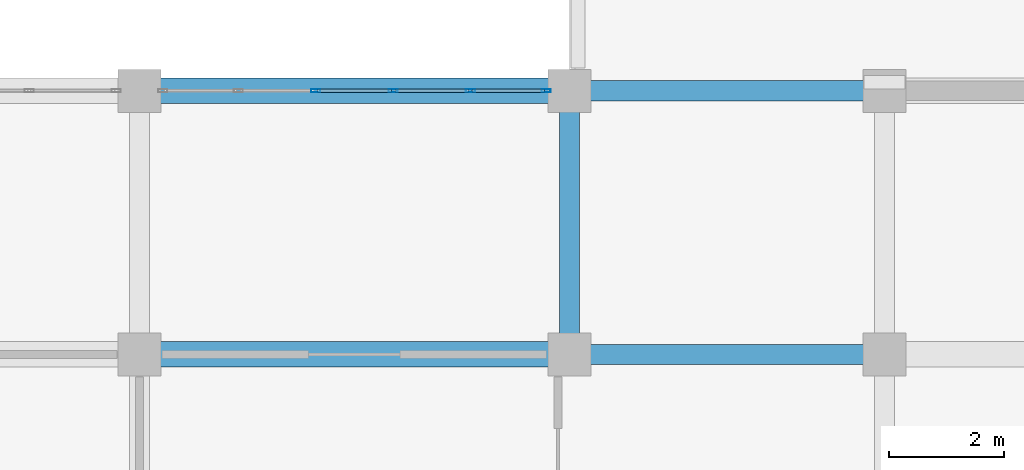
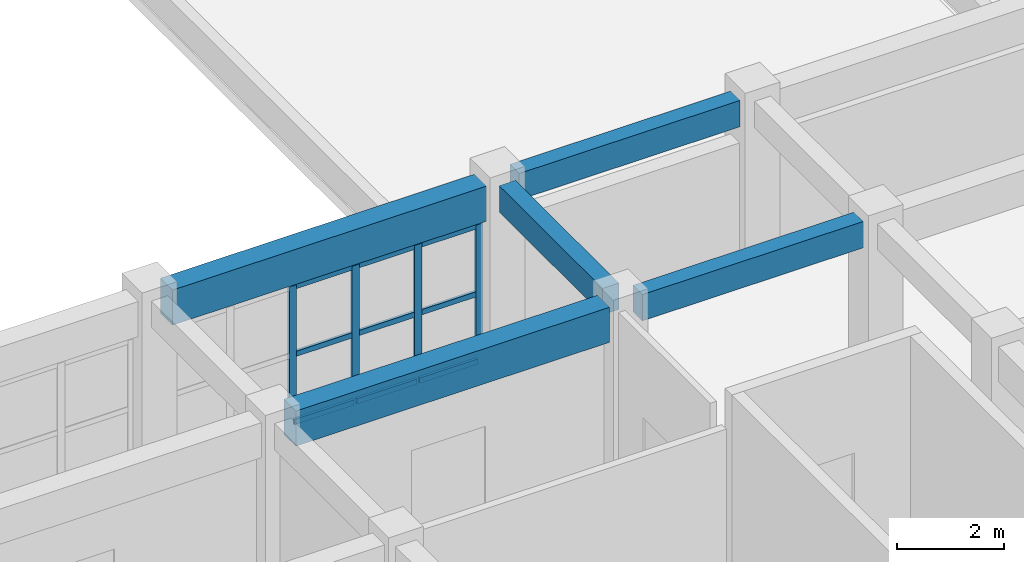
# One storey, part 38 of 90: 13 members, 5 beams, 1 element without a shape of its own.
"""IFC4 building model written with IfcOpenShell, lengths in metres."""

from ifc_helpers import new_model, si_unit, direction, frame, origin, origin_2d, place, context, subcontext, project, spatial, rectangle, hollow_rectangle, extrude, material, layer, layer_set, material_profile, profile_set, type_object, element, aggregate, save


model = new_model("IFC4")

# Units and contexts
model_context = context("Model", 3, precision=1e-05, world=origin(), true_north=direction((0.0, 1.0)))
body_context = subcontext(model_context, "Body", "Model", "MODEL_VIEW")
ifc_project = project(units=[si_unit("LENGTHUNIT", "METRE"), si_unit("AREAUNIT", "SQUARE_METRE"), si_unit("VOLUMEUNIT", "CUBIC_METRE"), si_unit("PLANEANGLEUNIT", "RADIAN"), si_unit("MASSUNIT", "GRAM", prefix="KILO")], contexts=[model_context])

# Site, building, storey
site_placement = place(None, origin())
site = spatial("IfcSite", under=ifc_project, at=site_placement, CompositionType="ELEMENT")
building_placement = place(site_placement, origin())
building = spatial("IfcBuilding", under=site, at=building_placement, Name="Muzn Square Opera House", CompositionType="ELEMENT")
storey_placement = place(building_placement, frame((0.0, 0.0, 9.800048828125)))
storey = spatial("IfcBuildingStorey", under=building, at=storey_placement, Name="L02", CompositionType="ELEMENT", Elevation=9.800048828125)

# Curtain wall, members
ifc_material_1 = material(Name="Low-E laminated acoustic double glazing", Category="glass")
ifc_layer = layer(ifc_material_1, 0.159912109375, Name="Low-E laminated acoustic double glazing", Category="glass")
ifc_layer_set = layer_set([ifc_layer], Name="Low-E laminated acoustic double glazing")
curtain_wall_type = type_object("IfcCurtainWallType", Name="Glazed Curtain Wall EastCloisterS 6750x3150", PredefinedType="USERDEFINED", material=ifc_layer_set)
curtain_wall_placement = place(storey_placement, origin())
curtain_wall = element("IfcCurtainWall", 1, at=curtain_wall_placement, inside=storey, type_object=curtain_wall_type, Name="Glazed Curtain Wall CW-L02-103", ObjectType="GLAZED CURTAIN WALL", PredefinedType="USERDEFINED")
ifc_material_2 = material(Name="Anodised bronze aluminium 6063-T6", Category="metal")
ifc_material_profile_1 = material_profile(ifc_material_2, hollow_rectangle(XDim=0.06005859375, YDim=0.159912109375, WallThickness=0.00390625, at=origin_2d()), Name="ALU 160x60x4", Category="metal")
ifc_profile_set_1 = profile_set([ifc_material_profile_1], Name="Anodised bronze aluminium 6063-T6")
member_type_1 = type_object("IfcMemberType", Name="Curtain Wall Mullion 160x60", PredefinedType="MULLION", material=ifc_profile_set_1)
member_1_placement = place(storey_placement, frame((152.574951171875, 31.199951171875, 0.0), z_axis=(0.0, 0.0, 1.0), x_axis=(0.0, 1.0, 0.0)))
member_1 = element("IfcMember", 2, at=member_1_placement, type_object=member_type_1, Name="CW-ECS-67x31 mullion 3", PredefinedType="MULLION", context=body_context, shape_type="SweptSolid", body=[
    extrude(hollow_rectangle(XDim=0.06005859375, YDim=0.159912109375, WallThickness=0.00390625, at=origin_2d()), origin(), (0.0, 0.0, 1.0), 3.14990234375),
])
member_2_placement = place(storey_placement, frame((153.925048828125, 31.199951171875, 0.0), z_axis=(0.0, 0.0, 1.0), x_axis=(0.0, 1.0, 0.0)))
member_2 = element("IfcMember", 3, at=member_2_placement, type_object=member_type_1, Name="CW-ECS-67x31 mullion 4", PredefinedType="MULLION", context=body_context, shape_type="SweptSolid", body=[
    extrude(hollow_rectangle(XDim=0.06005859375, YDim=0.159912109375, WallThickness=0.00390625, at=origin_2d()), origin(), (0.0, 0.0, 1.0), 3.14990234375),
])
member_3_placement = place(storey_placement, frame((155.27490234375, 31.199951171875, 0.0), z_axis=(0.0, 0.0, 1.0), x_axis=(0.0, 1.0, 0.0)))
member_3 = element("IfcMember", 4, at=member_3_placement, type_object=member_type_1, Name="CW-ECS-67x31 mullion 5", PredefinedType="MULLION", context=body_context, shape_type="SweptSolid", body=[
    extrude(hollow_rectangle(XDim=0.06005859375, YDim=0.159912109375, WallThickness=0.00390625, at=origin_2d()), origin(), (0.0, 0.0, 1.0), 3.14990234375),
])
member_4_placement = place(storey_placement, frame((156.594970703125, 31.199951171875, 0.0), z_axis=(0.0, 0.0, 1.0), x_axis=(0.0, 1.0, 0.0)))
member_4 = element("IfcMember", 5, at=member_4_placement, type_object=member_type_1, Name="CW-ECS-67x31 mullion 6", PredefinedType="MULLION", context=body_context, shape_type="SweptSolid", body=[
    extrude(hollow_rectangle(XDim=0.06005859375, YDim=0.159912109375, WallThickness=0.00390625, at=origin_2d()), origin(), (0.0, 0.0, 1.0), 3.14990234375),
])
ifc_material_profile_2 = material_profile(ifc_material_2, hollow_rectangle(XDim=0.06005859375, YDim=0.1201171875, WallThickness=0.00390625, at=origin_2d()), Name="ALU 120x60x4", Category="metal")
ifc_profile_set_2 = profile_set([ifc_material_profile_2], Name="Anodised bronze aluminium 6063-T6")
member_type_2 = type_object("IfcMemberType", Name="Curtain Wall Transom 120x60", PredefinedType="USERDEFINED", material=ifc_profile_set_2)
member_5_placement = place(storey_placement, frame((152.60498046875, 31.199951171875, 0.030029296875), z_axis=(1.0, 0.0, 0.0), x_axis=(0.0, 1.0, 0.0)))
member_5 = element("IfcMember", 6, at=member_5_placement, type_object=member_type_2, Name="CW-ECS-67x31 transom 3.1", ObjectType="TRANSOM", PredefinedType="USERDEFINED", context=body_context, shape_type="SweptSolid", body=[
    extrude(hollow_rectangle(XDim=0.06005859375, YDim=0.1201171875, WallThickness=0.00390625, at=origin_2d()), origin(), (0.0, 0.0, 1.0), 1.2900390625),
])
member_6_placement = place(storey_placement, frame((152.60498046875, 31.199951171875, 1.574951171875), z_axis=(1.0, 0.0, 0.0), x_axis=(0.0, 1.0, 0.0)))
member_6 = element("IfcMember", 7, at=member_6_placement, type_object=member_type_2, Name="CW-ECS-67x31 transom 3.2", ObjectType="TRANSOM", PredefinedType="USERDEFINED", context=body_context, shape_type="SweptSolid", body=[
    extrude(hollow_rectangle(XDim=0.06005859375, YDim=0.1201171875, WallThickness=0.00390625, at=origin_2d()), origin(), (0.0, 0.0, 1.0), 1.2900390625),
])
member_7_placement = place(storey_placement, frame((152.60498046875, 31.199951171875, 3.119873046875), z_axis=(1.0, 0.0, 0.0), x_axis=(0.0, 1.0, 0.0)))
member_7 = element("IfcMember", 8, at=member_7_placement, type_object=member_type_2, Name="CW-ECS-67x31 transom 3.3", ObjectType="TRANSOM", PredefinedType="USERDEFINED", context=body_context, shape_type="SweptSolid", body=[
    extrude(hollow_rectangle(XDim=0.06005859375, YDim=0.1201171875, WallThickness=0.00390625, at=origin_2d()), origin(), (0.0, 0.0, 1.0), 1.2900390625),
])
member_8_placement = place(storey_placement, frame((153.955078125, 31.199951171875, 0.030029296875), z_axis=(1.0, 0.0, 0.0), x_axis=(0.0, 1.0, 0.0)))
member_8 = element("IfcMember", 9, at=member_8_placement, type_object=member_type_2, Name="CW-ECS-67x31 transom 4.1", ObjectType="TRANSOM", PredefinedType="USERDEFINED", context=body_context, shape_type="SweptSolid", body=[
    extrude(hollow_rectangle(XDim=0.06005859375, YDim=0.1201171875, WallThickness=0.00390625, at=origin_2d()), origin(), (0.0, 0.0, 1.0), 1.2900390625),
])
member_9_placement = place(storey_placement, frame((153.955078125, 31.199951171875, 1.574951171875), z_axis=(1.0, 0.0, 0.0), x_axis=(0.0, 1.0, 0.0)))
member_9 = element("IfcMember", 10, at=member_9_placement, type_object=member_type_2, Name="CW-ECS-67x31 transom 4.2", ObjectType="TRANSOM", PredefinedType="USERDEFINED", context=body_context, shape_type="SweptSolid", body=[
    extrude(hollow_rectangle(XDim=0.06005859375, YDim=0.1201171875, WallThickness=0.00390625, at=origin_2d()), origin(), (0.0, 0.0, 1.0), 1.2900390625),
])
member_10_placement = place(storey_placement, frame((153.955078125, 31.199951171875, 3.119873046875), z_axis=(1.0, 0.0, 0.0), x_axis=(0.0, 1.0, 0.0)))
member_10 = element("IfcMember", 11, at=member_10_placement, type_object=member_type_2, Name="CW-ECS-67x31 transom 4.3", ObjectType="TRANSOM", PredefinedType="USERDEFINED", context=body_context, shape_type="SweptSolid", body=[
    extrude(hollow_rectangle(XDim=0.06005859375, YDim=0.1201171875, WallThickness=0.00390625, at=origin_2d()), origin(), (0.0, 0.0, 1.0), 1.2900390625),
])
member_11_placement = place(storey_placement, frame((155.304931640625, 31.199951171875, 0.030029296875), z_axis=(1.0, 0.0, 0.0), x_axis=(0.0, 1.0, 0.0)))
member_11 = element("IfcMember", 12, at=member_11_placement, type_object=member_type_2, Name="CW-ECS-67x31 transom 5.1", ObjectType="TRANSOM", PredefinedType="USERDEFINED", context=body_context, shape_type="SweptSolid", body=[
    extrude(hollow_rectangle(XDim=0.06005859375, YDim=0.1201171875, WallThickness=0.00390625, at=origin_2d()), origin(), (0.0, 0.0, 1.0), 1.260009765625),
])
member_12_placement = place(storey_placement, frame((155.304931640625, 31.199951171875, 1.574951171875), z_axis=(1.0, 0.0, 0.0), x_axis=(0.0, 1.0, 0.0)))
member_12 = element("IfcMember", 13, at=member_12_placement, type_object=member_type_2, Name="CW-ECS-67x31 transom 5.2", ObjectType="TRANSOM", PredefinedType="USERDEFINED", context=body_context, shape_type="SweptSolid", body=[
    extrude(hollow_rectangle(XDim=0.06005859375, YDim=0.1201171875, WallThickness=0.00390625, at=origin_2d()), origin(), (0.0, 0.0, 1.0), 1.260009765625),
])
member_13_placement = place(storey_placement, frame((155.304931640625, 31.199951171875, 3.119873046875), z_axis=(1.0, 0.0, 0.0), x_axis=(0.0, 1.0, 0.0)))
member_13 = element("IfcMember", 14, at=member_13_placement, type_object=member_type_2, Name="CW-ECS-67x31 transom 5.3", ObjectType="TRANSOM", PredefinedType="USERDEFINED", context=body_context, shape_type="SweptSolid", body=[
    extrude(hollow_rectangle(XDim=0.06005859375, YDim=0.1201171875, WallThickness=0.00390625, at=origin_2d()), origin(), (0.0, 0.0, 1.0), 1.260009765625),
])
aggregate(curtain_wall, [member_1, member_2, member_3, member_4, member_5, member_6, member_7, member_8, member_9, member_10, member_11, member_12, member_13])

# Beams
ifc_material_3 = material(Name="Concrete C40/50", Category="concrete")
ifc_material_profile_3 = material_profile(ifc_material_3, rectangle(XDim=0.35009765625, YDim=0.60009765625, at=origin_2d()), Name="RCB 350x600", Category="concrete")
ifc_profile_set_3 = profile_set([ifc_material_profile_3], Name="Concrete C40/50")
beam_type_1 = type_object("IfcBeamType", Name="Primary Girder 350x600", PredefinedType="BEAM", material=ifc_profile_set_3)
for number, where, z_axis, x_axis, name in (
    (15, (157.366943359375, 26.60009765625, 3.849853515625), (1.0, 0.0, 0.0), (0.0, 1.0, 0.0), "Primary Girder BM-L02-BM-PG600-1574_266_1621_266-1977"),
    (16, (157.366943359375, 31.199951171875, 3.820068359375), (1.0, 0.0, 0.0), (0.0, 1.0, 0.0), "Primary Girder BM-L02-BM-PG600-1574_312_1621_312-1996"),
):
    element("IfcBeam", number, at=place(storey_placement, frame(where, z_axis=z_axis, x_axis=x_axis)), inside=storey, type_object=beam_type_1, Name=name, PredefinedType="BEAM", context=body_context, shape_type="SweptSolid", body=[
        extrude(rectangle(XDim=0.35009765625, YDim=0.60009765625, at=origin_2d()), origin(), (0.0, 0.0, 1.0), 4.76611328125),
    ])
beam_placement = place(storey_placement, frame((157.0, 26.967041015625, 3.849853515625), z_axis=(0.0, 1.0, 0.0), x_axis=(-1.0, 0.0, 0.0)))
element("IfcBeam", 17, at=beam_placement, inside=storey, type_object=beam_type_1, Name="Primary Girder BM-L02-BM-PG600-1570_270_1570_308-2278", PredefinedType="BEAM", context=body_context, shape_type="SweptSolid", body=[
    extrude(rectangle(XDim=0.35009765625, YDim=0.60009765625, at=origin_2d()), origin(), (0.0, 0.0, 1.0), 3.865966796875),
])
ifc_material_profile_4 = material_profile(ifc_material_3, rectangle(XDim=0.449951171875, YDim=0.800048828125, at=origin_2d()), Name="RCB 450x800", Category="concrete")
ifc_profile_set_4 = profile_set([ifc_material_profile_4], Name="Concrete C40/50")
beam_type_2 = type_object("IfcBeamType", Name="Primary Girder 450x800", PredefinedType="BEAM", material=ifc_profile_set_4)
for number, where, z_axis, x_axis, name in (
    (18, (149.866943359375, 26.60009765625, 3.75), (1.0, 0.0, 0.0), (0.0, 1.0, 0.0), "Primary Girder BM-L02-BM-PG800-1499_266_1566_266-1976"),
    (19, (149.866943359375, 31.199951171875, 3.719970703125), (1.0, 0.0, 0.0), (0.0, 1.0, 0.0), "Primary Girder BM-L02-BM-PG800-1499_312_1566_312-1995"),
):
    element("IfcBeam", number, at=place(storey_placement, frame(where, z_axis=z_axis, x_axis=x_axis)), inside=storey, type_object=beam_type_2, Name=name, PredefinedType="BEAM", context=body_context, shape_type="SweptSolid", body=[
        extrude(rectangle(XDim=0.449951171875, YDim=0.800048828125, at=origin_2d()), origin(), (0.0, 0.0, 1.0), 6.76611328125),
    ])

save(model, "model.ifc")
